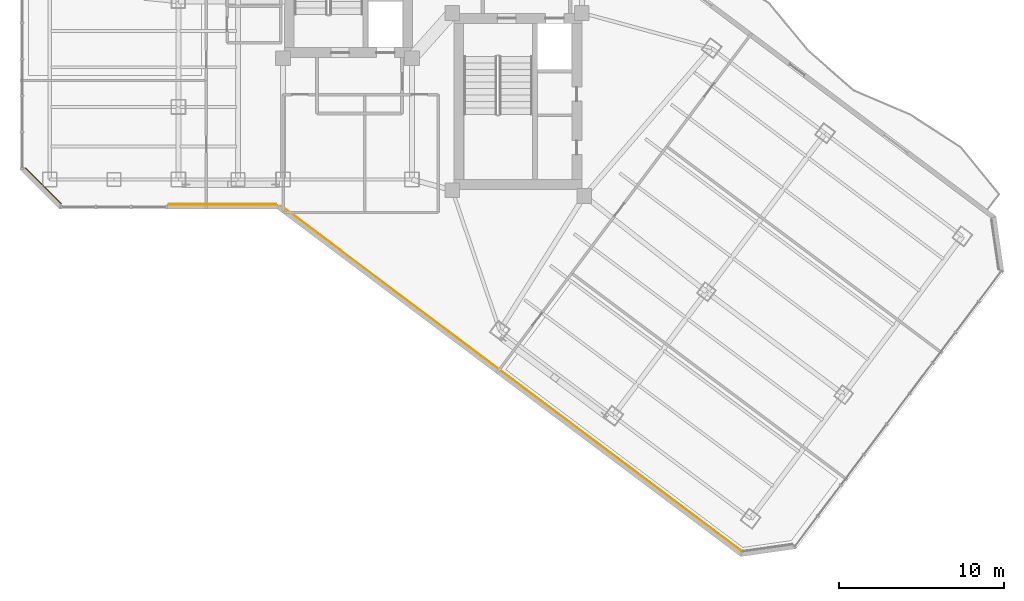
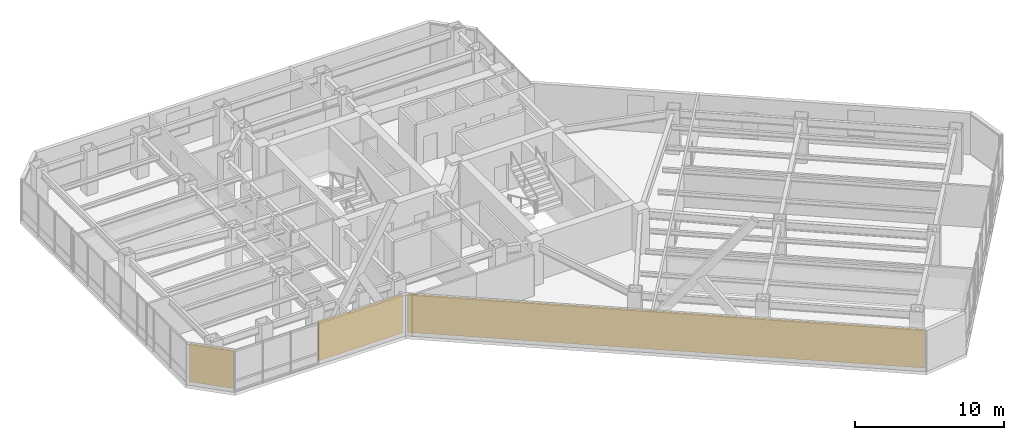
# One storey, part 25 of 29: 3 coverings.
"""IFC4 building model written with IfcOpenShell, lengths in metres."""

from ifc_helpers import new_model, si_unit, direction, frame, origin, origin_2d, place, context, subcontext, project, spatial, rectangle, extrude, material, layer, layer_set, type_object, element, save


model = new_model("IFC4")

# Units and contexts
model_context = context("Model", 3, precision=1e-05, world=origin(), true_north=direction((0.0, 1.0)))
body_context = subcontext(model_context, "Body", "Model", "MODEL_VIEW")
ifc_project = project(units=[si_unit("LENGTHUNIT", "METRE"), si_unit("AREAUNIT", "SQUARE_METRE"), si_unit("VOLUMEUNIT", "CUBIC_METRE"), si_unit("PLANEANGLEUNIT", "RADIAN"), si_unit("MASSUNIT", "GRAM", prefix="KILO")], contexts=[model_context])

# Site, building, storey
site_placement = place(None, origin())
site = spatial("IfcSite", under=ifc_project, at=site_placement, CompositionType="ELEMENT")
building_placement = place(site_placement, origin())
building = spatial("IfcBuilding", under=site, at=building_placement, Name="Hatsunagi Terrace Concourse", CompositionType="ELEMENT")
storey_placement = place(building_placement, frame((0.0, 0.0, 108.449951171875)))
storey = spatial("IfcBuildingStorey", under=building, at=storey_placement, Name="L28", CompositionType="ELEMENT", Elevation=108.449951171875)

# Coverings
ifc_material = material(Name="Unglazed Warm Terracotta Rainscreen Tile", Category="masonry")
ifc_layer = layer(ifc_material, 0.044921875)
ifc_layer_set = layer_set([ifc_layer], Name="TerracottaRainscreenCladding_45")
covering_type = type_object("IfcCoveringType", Name="TerracottaRainscreenCladding_45", PredefinedType="CLADDING", material=ifc_layer_set)
covering_1_placement = place(storey_placement, frame((39.3798828125, 13.14306640625, 0.10009765625), z_axis=(0.0, 0.0, 1.0), x_axis=(-0.800003116929, 0.599995844072, 0.0)))
element("IfcCovering", 1, at=covering_1_placement, inside=storey, type_object=covering_type, Name="Terracotta Rainscreen Cladding L28-05", PredefinedType="CLADDING", context=body_context, shape_type="SweptSolid", body=[
    extrude(rectangle(XDim=34.84912109375, YDim=0.044921875, at=origin_2d()), origin(), (0.0, 0.0, 1.0), 3.14990234375),
])
covering_2_placement = place(storey_placement, frame((21.873046875, 23.701904296875, 0.10009765625), z_axis=(0.0, 0.0, 1.0), x_axis=(-1.0, 0.0, 0.0)))
element("IfcCovering", 2, at=covering_2_placement, inside=storey, type_object=covering_type, Name="Terracotta Rainscreen Cladding L28-06", PredefinedType="CLADDING", context=body_context, shape_type="SweptSolid", body=[
    extrude(rectangle(XDim=6.507080078125, YDim=0.044921875, at=origin_2d()), origin(), (0.0, 0.0, 1.0), 3.14990234375),
])
covering_3_placement = place(storey_placement, frame((11.013916015625, 24.81396484375, 0.10009765625), z_axis=(0.0, 0.0, 1.0), x_axis=(-0.707106781187, 0.707106781187, 0.0)))
element("IfcCovering", 3, at=covering_3_placement, inside=storey, type_object=covering_type, Name="Terracotta Rainscreen Cladding L28-08", PredefinedType="CLADDING", context=body_context, shape_type="SweptSolid", body=[
    extrude(rectangle(XDim=3.0380859375, YDim=0.044921875, at=origin_2d()), origin(), (0.0, 0.0, 1.0), 3.14990234375),
])

save(model, "model.ifc")
